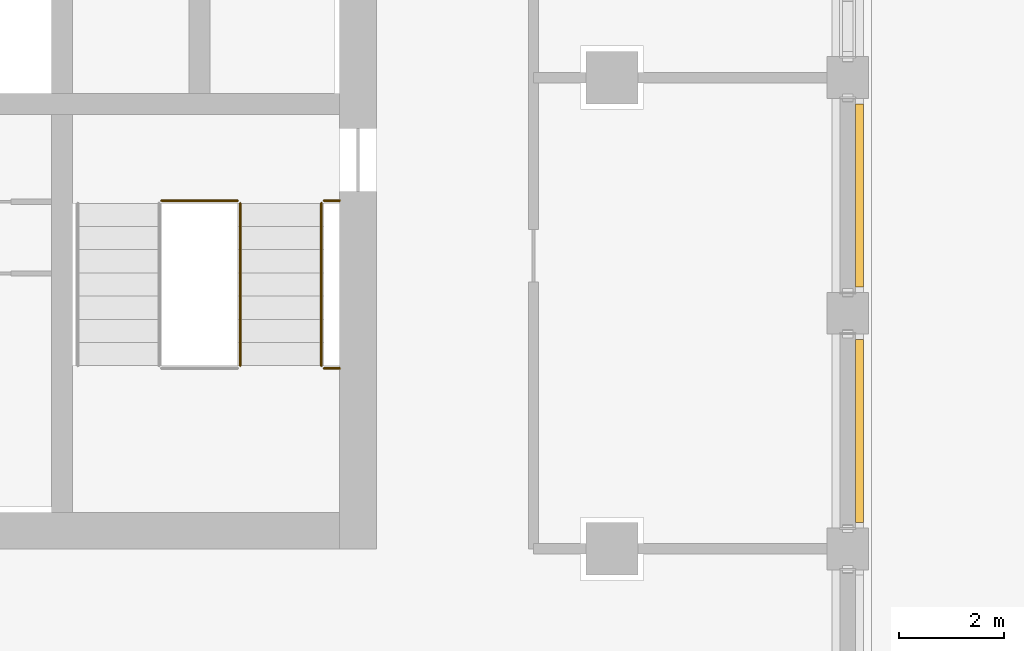
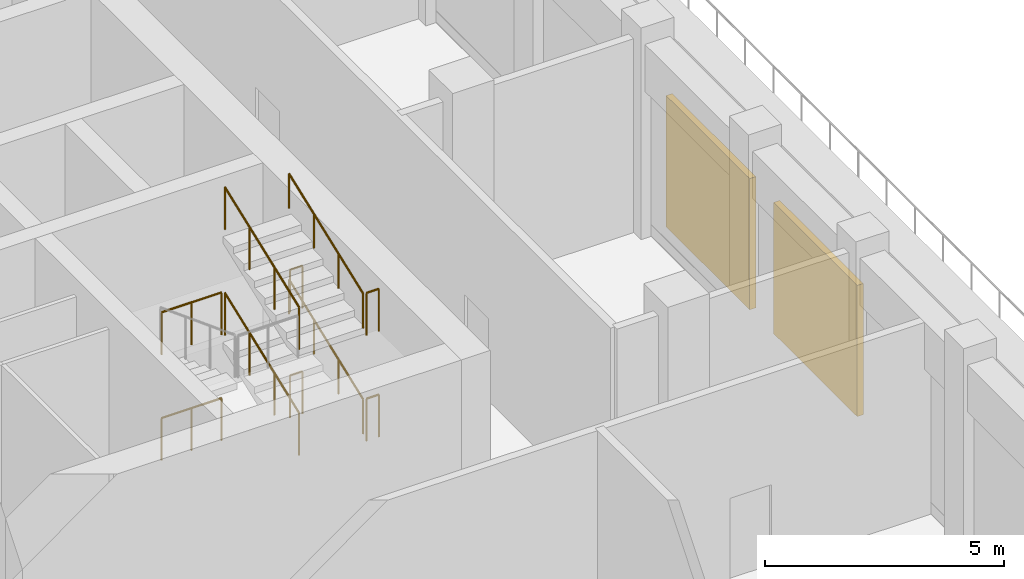
# One storey, part 16 of 19: 10 railings, 2 shading devices.
"""IFC4 building model written with IfcOpenShell, lengths in metres."""

from ifc_helpers import new_model, si_unit, direction, frame, origin, origin_2d, place, context, subcontext, project, spatial, rectangle, circle, extrude, material, layer, layer_set, type_object, element, save


model = new_model("IFC4")

# Units and contexts
model_context = context("Model", 3, precision=1e-05, world=origin(), true_north=direction((0.0, 1.0)))
body_context = subcontext(model_context, "Body", "Model", "MODEL_VIEW")
ifc_project = project(units=[si_unit("LENGTHUNIT", "METRE"), si_unit("AREAUNIT", "SQUARE_METRE"), si_unit("VOLUMEUNIT", "CUBIC_METRE"), si_unit("PLANEANGLEUNIT", "RADIAN"), si_unit("MASSUNIT", "GRAM", prefix="KILO")], contexts=[model_context])

# Site, building, storey
site_placement = place(None, origin())
site = spatial("IfcSite", under=ifc_project, at=site_placement, CompositionType="ELEMENT")
building_placement = place(site_placement, origin())
building = spatial("IfcBuilding", under=site, at=building_placement, Name="Corbel Stack Research Tower", CompositionType="ELEMENT")
storey_placement = place(building_placement, frame((0.0, 0.0, 226.199951171875)))
storey = spatial("IfcBuildingStorey", under=building, at=storey_placement, Name="L51", CompositionType="ELEMENT", Elevation=226.199951171875)

# Shading devices
ifc_material_1 = material(Name="Aluminium louvre", Category="aluminium")
ifc_layer = layer(ifc_material_1, 0.14990234375)
ifc_layer_set = layer_set([ifc_layer], Name="Aluminium louvre")
shading_device_type = type_object("IfcShadingDeviceType", Name="Plant louvre 150", PredefinedType="USERDEFINED", material=ifc_layer_set)
for number, where, z_axis, x_axis, name in (
    (1, (27.22509765625, -6.75, 0.199951171875), (0.0, 0.0, 1.0), (0.0, 1.0, 0.0), "Plant louvre L51 E03"),
    (2, (27.22509765625, -2.25, 0.199951171875), (0.0, 0.0, 1.0), (0.0, 1.0, 0.0), "Plant louvre L51 E04"),
):
    element("IfcShadingDevice", number, at=place(storey_placement, frame(where, z_axis=z_axis, x_axis=x_axis)), inside=storey, type_object=shading_device_type, Name=name, ObjectType="LOUVRE", PredefinedType="USERDEFINED", context=body_context, shape_type="SweptSolid", body=[
        extrude(rectangle(XDim=3.5, YDim=0.14990234375, at=origin_2d()), origin(), (0.0, 0.0, 1.0), 3.35009765625),
    ])

# Railings
ifc_material_2 = material(Name="Steel S355", Category="steel")
railing_type_1 = type_object("IfcRailingType", Name="Stair guard 1100", PredefinedType="GUARDRAIL", material=ifc_material_2)
railing_1_placement = place(storey_placement, frame((17.0, -5.551025390625, 1.35009765625)))
element("IfcRailing", 3, at=railing_1_placement, inside=storey, type_object=railing_type_1, Name="L51 ST-E1 stair guard 3", PredefinedType="GUARDRAIL", context=body_context, shape_type="SweptSolid", body=[
    extrude(circle(Radius=0.02392578125, at=origin_2d()), frame((0.0, 0.0, 1.076171875), z_axis=(1.0, 0.0, 0.0), x_axis=(0.0, 1.0, 0.0)), (0.0, 0.0, 1.0), 0.300048828125),
    extrude(circle(Radius=0.02099609375, at=origin_2d()), origin(), (0.0, 0.0, 1.0), 1.052001953125),
    extrude(circle(Radius=0.02099609375, at=origin_2d()), frame((0.300048828125, 0.0, 0.0)), (0.0, 0.0, 1.0), 1.052001953125),
])
railing_2_placement = place(storey_placement, frame((15.39990234375, -5.5009765625, 1.518798828125)))
element("IfcRailing", 4, at=railing_2_placement, inside=storey, type_object=railing_type_1, Name="L51 ST-E1 stair guard 4", PredefinedType="GUARDRAIL", context=body_context, shape_type="SweptSolid", body=[
    extrude(circle(Radius=0.02392578125, at=origin_2d()), frame((0.0, 0.0, 1.076171875), z_axis=(0.0, 0.934508712189, 0.355940257406), x_axis=(-1.0, 0.0, 0.0)), (0.0, 0.0, 1.0), 3.318359375),
    extrude(circle(Radius=0.02099609375, at=origin_2d()), origin(), (0.0, 0.0, 1.0), 1.052001953125),
    extrude(circle(Radius=0.02099609375, at=origin_2d()), frame((0.0, 1.03369140625, 0.393798828125)), (0.0, 0.0, 1.0), 1.052001953125),
    extrude(circle(Radius=0.02099609375, at=origin_2d()), frame((0.0, 2.0673828125, 0.787353515625)), (0.0, 0.0, 1.0), 1.052001953125),
    extrude(circle(Radius=0.02099609375, at=origin_2d()), frame((0.0, 3.10107421875, 1.18115234375)), (0.0, 0.0, 1.0), 1.052001953125),
])
railing_3_placement = place(storey_placement, frame((13.89990234375, -2.35009765625, 2.699951171875)))
element("IfcRailing", 5, at=railing_3_placement, inside=storey, type_object=railing_type_1, Name="L51 ST-E1 stair guard 5", PredefinedType="GUARDRAIL", context=body_context, shape_type="SweptSolid", body=[
    extrude(circle(Radius=0.02392578125, at=origin_2d()), frame((0.0, 0.0, 1.076171875), z_axis=(1.0, 0.0, 0.0), x_axis=(0.0, 1.0, 0.0)), (0.0, 0.0, 1.0), 1.4501953125),
    extrude(circle(Radius=0.02099609375, at=origin_2d()), origin(), (0.0, 0.0, 1.0), 1.052001953125),
    extrude(circle(Radius=0.02099609375, at=origin_2d()), frame((0.72509765625, 0.0, 0.0)), (0.0, 0.0, 1.0), 1.052001953125),
    extrude(circle(Radius=0.02099609375, at=origin_2d()), frame((1.4501953125, 0.0, 0.0)), (0.0, 0.0, 1.0), 1.052001953125),
])
for number, where, name in (
    (6, (17.0, -2.35009765625, 2.699951171875), "L51 ST-E1 stair guard 6"),
    (7, (17.0, -5.551025390625, 4.050048828125), "L51 ST-E1 stair guard 9"),
):
    element("IfcRailing", number, at=place(storey_placement, frame(where)), inside=storey, type_object=railing_type_1, Name=name, PredefinedType="GUARDRAIL", context=body_context, shape_type="SweptSolid", body=[
        extrude(circle(Radius=0.02392578125, at=origin_2d()), frame((0.0, 0.0, 1.076171875), z_axis=(1.0, 0.0, 0.0), x_axis=(0.0, 1.0, 0.0)), (0.0, 0.0, 1.0), 0.300048828125),
        extrude(circle(Radius=0.02099609375, at=origin_2d()), origin(), (0.0, 0.0, 1.0), 1.052001953125),
        extrude(circle(Radius=0.02099609375, at=origin_2d()), frame((0.300048828125, 0.0, 0.0)), (0.0, 0.0, 1.0), 1.052001953125),
    ])
railing_4_placement = place(storey_placement, frame((15.39990234375, -5.5009765625, 4.21875)))
element("IfcRailing", 8, at=railing_4_placement, inside=storey, type_object=railing_type_1, Name="L51 ST-E1 stair guard 10", PredefinedType="GUARDRAIL", context=body_context, shape_type="SweptSolid", body=[
    extrude(circle(Radius=0.02392578125, at=origin_2d()), frame((0.0, 0.0, 1.076171875), z_axis=(0.0, 0.934484238495, 0.356004505596), x_axis=(-1.0, 0.0, 0.0)), (0.0, 0.0, 1.0), 3.318603515625),
    extrude(circle(Radius=0.02099609375, at=origin_2d()), origin(), (0.0, 0.0, 1.0), 1.052001953125),
    extrude(circle(Radius=0.02099609375, at=origin_2d()), frame((0.0, 1.03369140625, 0.393798828125)), (0.0, 0.0, 1.0), 1.052001953125),
    extrude(circle(Radius=0.02099609375, at=origin_2d()), frame((0.0, 2.0673828125, 0.78759765625)), (0.0, 0.0, 1.0), 1.052001953125),
    extrude(circle(Radius=0.02099609375, at=origin_2d()), frame((0.0, 3.10107421875, 1.181396484375)), (0.0, 0.0, 1.0), 1.052001953125),
])
railing_5_placement = place(storey_placement, frame((13.89990234375, -2.35009765625, 0.0)))
element("IfcRailing", 9, at=railing_5_placement, inside=storey, type_object=railing_type_1, Name="L51 ST-E1 stair guard 11", PredefinedType="GUARDRAIL", context=body_context, shape_type="SweptSolid", body=[
    extrude(circle(Radius=0.02392578125, at=origin_2d()), frame((0.0, 0.0, 1.076171875), z_axis=(1.0, 0.0, 0.0), x_axis=(0.0, 1.0, 0.0)), (0.0, 0.0, 1.0), 1.4501953125),
    extrude(circle(Radius=0.02099609375, at=origin_2d()), origin(), (0.0, 0.0, 1.0), 1.052001953125),
    extrude(circle(Radius=0.02099609375, at=origin_2d()), frame((0.72509765625, 0.0, 0.0)), (0.0, 0.0, 1.0), 1.052001953125),
    extrude(circle(Radius=0.02099609375, at=origin_2d()), frame((1.4501953125, 0.0, 0.0)), (0.0, 0.0, 1.0), 1.052001953125),
])
railing_6_placement = place(storey_placement, frame((17.0, -2.35009765625, 0.0)))
element("IfcRailing", 10, at=railing_6_placement, inside=storey, type_object=railing_type_1, Name="L51 ST-E1 stair guard 12", PredefinedType="GUARDRAIL", context=body_context, shape_type="SweptSolid", body=[
    extrude(circle(Radius=0.02392578125, at=origin_2d()), frame((0.0, 0.0, 1.076171875), z_axis=(1.0, 0.0, 0.0), x_axis=(0.0, 1.0, 0.0)), (0.0, 0.0, 1.0), 0.300048828125),
    extrude(circle(Radius=0.02099609375, at=origin_2d()), origin(), (0.0, 0.0, 1.0), 1.052001953125),
    extrude(circle(Radius=0.02099609375, at=origin_2d()), frame((0.300048828125, 0.0, 0.0)), (0.0, 0.0, 1.0), 1.052001953125),
])
ifc_material_3 = material(Name="Steel S355", Category="steel")
railing_type_2 = type_object("IfcRailingType", Name="Stair handrail 900", PredefinedType="HANDRAIL", material=ifc_material_3)
railing_7_placement = place(storey_placement, frame((16.949951171875, -5.5009765625, 1.518798828125)))
element("IfcRailing", 11, at=railing_7_placement, inside=storey, type_object=railing_type_2, Name="L51 ST-E1 stair handrail 2", PredefinedType="HANDRAIL", context=body_context, shape_type="SweptSolid", body=[
    extrude(circle(Radius=0.02392578125, at=origin_2d()), frame((0.0, 0.0, 0.8759765625), z_axis=(0.0, 0.934508712189, 0.355940257406), x_axis=(-1.0, 0.0, 0.0)), (0.0, 0.0, 1.0), 3.318359375),
    extrude(circle(Radius=0.02099609375, at=origin_2d()), origin(), (0.0, 0.0, 1.0), 0.851806640625),
    extrude(circle(Radius=0.02099609375, at=origin_2d()), frame((0.0, 1.03369140625, 0.393798828125)), (0.0, 0.0, 1.0), 0.851806640625),
    extrude(circle(Radius=0.02099609375, at=origin_2d()), frame((0.0, 2.0673828125, 0.787353515625)), (0.0, 0.0, 1.0), 0.851806640625),
    extrude(circle(Radius=0.02099609375, at=origin_2d()), frame((0.0, 3.10107421875, 1.18115234375)), (0.0, 0.0, 1.0), 0.851806640625),
])
railing_8_placement = place(storey_placement, frame((16.949951171875, -5.5009765625, 4.21875)))
element("IfcRailing", 12, at=railing_8_placement, inside=storey, type_object=railing_type_2, Name="L51 ST-E1 stair handrail 4", PredefinedType="HANDRAIL", context=body_context, shape_type="SweptSolid", body=[
    extrude(circle(Radius=0.02392578125, at=origin_2d()), frame((0.0, 0.0, 0.8759765625), z_axis=(0.0, 0.934484238495, 0.356004505596), x_axis=(-1.0, 0.0, 0.0)), (0.0, 0.0, 1.0), 3.318603515625),
    extrude(circle(Radius=0.02099609375, at=origin_2d()), origin(), (0.0, 0.0, 1.0), 0.851806640625),
    extrude(circle(Radius=0.02099609375, at=origin_2d()), frame((0.0, 1.03369140625, 0.393798828125)), (0.0, 0.0, 1.0), 0.851806640625),
    extrude(circle(Radius=0.02099609375, at=origin_2d()), frame((0.0, 2.0673828125, 0.78759765625)), (0.0, 0.0, 1.0), 0.851806640625),
    extrude(circle(Radius=0.02099609375, at=origin_2d()), frame((0.0, 3.10107421875, 1.181396484375)), (0.0, 0.0, 1.0), 0.851806640625),
])

save(model, "model.ifc")
